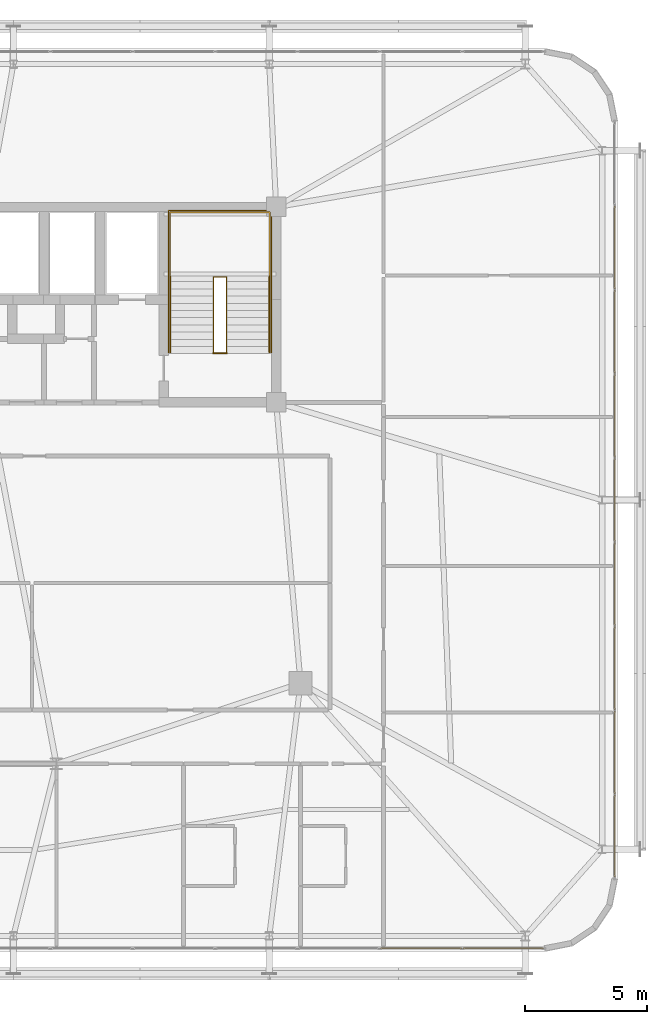
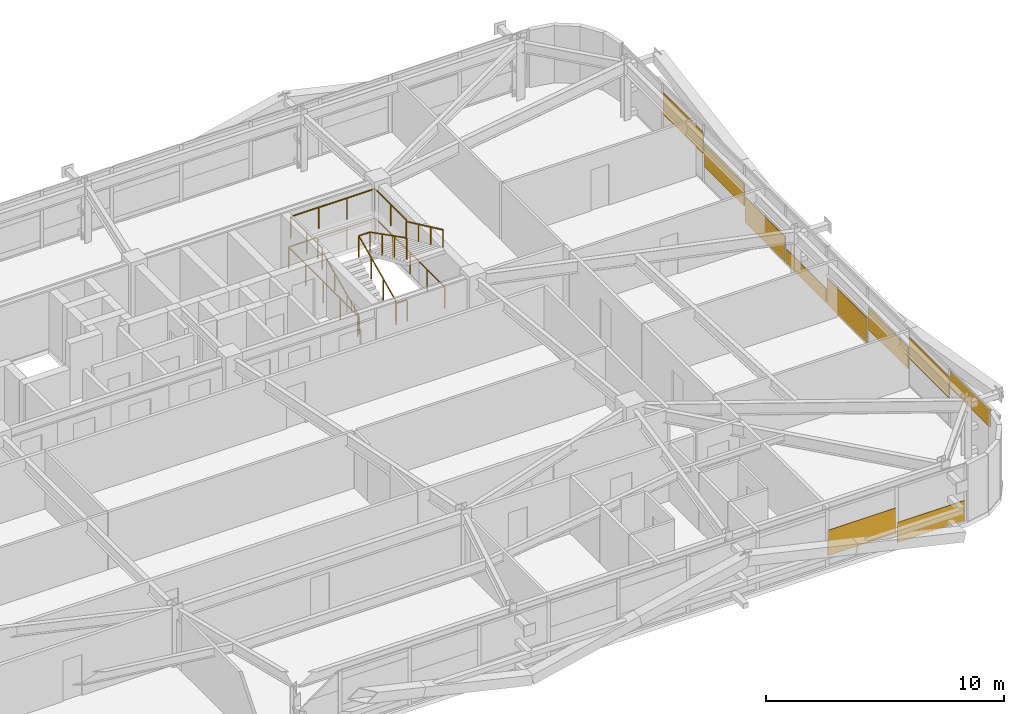
# One storey, part 58 of 59: 10 coverings, 6 railings.
"""IFC4 building model written with IfcOpenShell, lengths in metres."""

from ifc_helpers import new_model, si_unit, direction, frame, origin, origin_2d, place, context, subcontext, project, spatial, rectangle, extrude, source, transform, mapped, material, layer, layer_set, type_object, element, save


model = new_model("IFC4")

# Units and contexts
model_context = context("Model", 3, precision=1e-05, world=origin(), true_north=direction((0.0, 1.0)))
body_context = subcontext(model_context, "Body", "Model", "MODEL_VIEW")
ifc_project = project(units=[si_unit("LENGTHUNIT", "METRE"), si_unit("AREAUNIT", "SQUARE_METRE"), si_unit("VOLUMEUNIT", "CUBIC_METRE"), si_unit("PLANEANGLEUNIT", "RADIAN"), si_unit("MASSUNIT", "GRAM", prefix="KILO")], contexts=[model_context])

# Site, building, storey
site_placement = place(None, origin())
site = spatial("IfcSite", under=ifc_project, at=site_placement, CompositionType="ELEMENT")
building_placement = place(site_placement, origin())
building = spatial("IfcBuilding", under=site, at=building_placement, Name="Taldren Reach Tower", CompositionType="ELEMENT")
storey_placement = place(building_placement, frame((0.0, 0.0, 26.25)))
storey = spatial("IfcBuildingStorey", under=building, at=storey_placement, Name="L07", CompositionType="ELEMENT", Elevation=26.25)

# Railings
ifc_material_1 = material(Name="Steel Gr 350 (C350L0)", Category="steel")
ifc_layer_1 = layer(ifc_material_1, 0.050048828125)
ifc_layer_set_1 = layer_set([ifc_layer_1], Name="Steel Gr 350 (C350L0)")
railing_type_1 = type_object("IfcRailingType", Name="RL-STAIR-GR", PredefinedType="GUARDRAIL", material=ifc_layer_set_1)
railing_1_placement = place(storey_placement, frame((46.659912109375, 29.135009765625, 1.574951171875)))
element("IfcRailing", 1, at=railing_1_placement, inside=storey, type_object=railing_type_1, Name="Stair half-landing perimeter guard ST2-L07", PredefinedType="GUARDRAIL", context=body_context, shape_type="SweptSolid", body=[
    extrude(rectangle(XDim=0.047852, YDim=0.047852, at=origin_2d()), frame((0.0, 0.0, 1.09619140625), z_axis=(0.0, 1.0, 0.0), x_axis=(-1.0, 0.0, 0.0)), (0.0, 0.0, 1.0), 2.64501953125),
    extrude(rectangle(XDim=0.047852, YDim=0.047852, at=origin_2d()), frame((0.0, 2.64501953125, 1.09619140625), z_axis=(1.0, 0.0, 0.0), x_axis=(0.0, 1.0, 0.0)), (0.0, 0.0, 1.0), 4.080078125),
    extrude(rectangle(XDim=0.047852, YDim=0.047852, at=origin_2d()), frame((4.080078125, 2.64501953125, 1.09619140625), z_axis=(0.0, -1.0, 0.0), x_axis=(1.0, 0.0, 0.0)), (0.0, 0.0, 1.0), 2.64501953125),
    extrude(rectangle(XDim=0.041992, YDim=0.041992, at=origin_2d()), origin(), (0.0, 0.0, 1.0), 1.072021484375),
    extrude(rectangle(XDim=0.041992, YDim=0.041992, at=origin_2d()), frame((0.0, 1.322509765625, 0.0)), (0.0, 0.0, 1.0), 1.072021484375),
    extrude(rectangle(XDim=0.041992, YDim=0.041992, at=origin_2d()), frame((0.0, 2.64501953125, 0.0)), (0.0, 0.0, 1.0), 1.072021484375),
    extrude(rectangle(XDim=0.041992, YDim=0.041992, at=origin_2d()), frame((1.360107421875, 2.64501953125, 0.0)), (0.0, 0.0, 1.0), 1.072021484375),
    extrude(rectangle(XDim=0.041992, YDim=0.041992, at=origin_2d()), frame((2.719970703125, 2.64501953125, 0.0)), (0.0, 0.0, 1.0), 1.072021484375),
    extrude(rectangle(XDim=0.041992, YDim=0.041992, at=origin_2d()), frame((4.080078125, 2.64501953125, 0.0)), (0.0, 0.0, 1.0), 1.072021484375),
    extrude(rectangle(XDim=0.041992, YDim=0.041992, at=origin_2d()), frame((4.080078125, 1.322509765625, 0.0)), (0.0, 0.0, 1.0), 1.072021484375),
    extrude(rectangle(XDim=0.041992, YDim=0.041992, at=origin_2d()), frame((4.080078125, 0.0, 0.0)), (0.0, 0.0, 1.0), 1.072021484375),
])
railing_2_placement = place(storey_placement, frame((48.429931640625, 26.050048828125, 0.13134765625)))
element("IfcRailing", 2, at=railing_2_placement, inside=storey, type_object=railing_type_1, Name="Stairwell inner guard ST2-L07", PredefinedType="GUARDRAIL", context=body_context, shape_type="SweptSolid", body=[
    extrude(rectangle(XDim=0.047852, YDim=0.047852, at=origin_2d()), frame((0.0, 0.0, 1.09619140625), z_axis=(0.0, 0.905737652094, 0.423838773095), x_axis=(-1.0, 0.0, 0.0)), (0.0, 0.0, 1.0), 3.406005859375),
    extrude(rectangle(XDim=0.047852, YDim=0.047852, at=origin_2d()), frame((0.0, 3.0849609375, 2.53955078125), z_axis=(1.0, 0.0, 0.0), x_axis=(0.0, 1.0, 0.0)), (0.0, 0.0, 1.0), 0.5400390625),
    extrude(rectangle(XDim=0.047852, YDim=0.047852, at=origin_2d()), frame((0.5400390625, 3.0849609375, 2.53955078125), z_axis=(0.0, -0.890645957773, 0.45469745755), x_axis=(1.0, 0.0, 0.0)), (0.0, 0.0, 1.0), 3.463623046875),
    extrude(rectangle(XDim=0.041992, YDim=0.041992, at=origin_2d()), origin(), (0.0, 0.0, 1.0), 1.072021484375),
    extrude(rectangle(XDim=0.041992, YDim=0.041992, at=origin_2d()), frame((0.0, 1.0283203125, 0.481201171875)), (0.0, 0.0, 1.0), 1.072021484375),
    extrude(rectangle(XDim=0.041992, YDim=0.041992, at=origin_2d()), frame((0.0, 2.056640625, 0.96240234375)), (0.0, 0.0, 1.0), 1.072021484375),
    extrude(rectangle(XDim=0.041992, YDim=0.041992, at=origin_2d()), frame((0.0, 3.0849609375, 1.443603515625)), (0.0, 0.0, 1.0), 1.072021484375),
    extrude(rectangle(XDim=0.041992, YDim=0.041992, at=origin_2d()), frame((0.5400390625, 3.0849609375, 1.443603515625)), (0.0, 0.0, 1.0), 1.072021484375),
    extrude(rectangle(XDim=0.041992, YDim=0.041992, at=origin_2d()), frame((0.5400390625, 2.056640625, 1.968505859375)), (0.0, 0.0, 1.0), 1.072021484375),
    extrude(rectangle(XDim=0.041992, YDim=0.041992, at=origin_2d()), frame((0.5400390625, 1.0283203125, 2.49365234375)), (0.0, 0.0, 1.0), 1.072021484375),
    extrude(rectangle(XDim=0.041992, YDim=0.041992, at=origin_2d()), frame((0.5400390625, 0.0, 3.0185546875)), (0.0, 0.0, 1.0), 1.072021484375),
])
railing_3_placement = place(storey_placement, frame((48.429931640625, 26.010009765625, 0.0)))
element("IfcRailing", 3, at=railing_3_placement, inside=storey, type_object=railing_type_1, Name="Stairwell landing slot guard ST2-L07", PredefinedType="GUARDRAIL", context=body_context, shape_type="SweptSolid", body=[
    extrude(rectangle(XDim=0.047852, YDim=0.047852, at=origin_2d()), frame((0.0, 0.0, 1.09619140625), z_axis=(1.0, 0.0, 0.0), x_axis=(0.0, 1.0, 0.0)), (0.0, 0.0, 1.0), 0.5400390625),
    extrude(rectangle(XDim=0.041992, YDim=0.041992, at=origin_2d()), origin(), (0.0, 0.0, 1.0), 1.072021484375),
    extrude(rectangle(XDim=0.041992, YDim=0.041992, at=origin_2d()), frame((0.5400390625, 0.0, 0.0)), (0.0, 0.0, 1.0), 1.072021484375),
])
railing_4_placement = place(storey_placement, frame((46.590087890625, 26.050048828125, 0.0)))
element("IfcRailing", 4, at=railing_4_placement, inside=storey, type_object=railing_type_1, Name="Stairwell floor opening guard ST2-L07", PredefinedType="GUARDRAIL", context=body_context, shape_type="SweptSolid", body=[
    extrude(rectangle(XDim=0.047852, YDim=0.047852, at=origin_2d()), frame((0.0, 0.0, 1.09619140625), z_axis=(0.0, 1.0, 0.0), x_axis=(-1.0, 0.0, 0.0)), (0.0, 0.0, 1.0), 5.800048828125),
    extrude(rectangle(XDim=0.047852, YDim=0.047852, at=origin_2d()), frame((0.0, 5.800048828125, 1.09619140625), z_axis=(1.0, 0.0, 0.0), x_axis=(0.0, 1.0, 0.0)), (0.0, 0.0, 1.0), 4.219970703125),
    extrude(rectangle(XDim=0.047852, YDim=0.047852, at=origin_2d()), frame((4.219970703125, 5.800048828125, 1.09619140625), z_axis=(0.0, -1.0, 0.0), x_axis=(1.0, 0.0, 0.0)), (0.0, 0.0, 1.0), 5.800048828125),
    extrude(rectangle(XDim=0.041992, YDim=0.041992, at=origin_2d()), origin(), (0.0, 0.0, 1.0), 1.072021484375),
    extrude(rectangle(XDim=0.041992, YDim=0.041992, at=origin_2d()), frame((0.0, 1.449951171875, 0.0)), (0.0, 0.0, 1.0), 1.072021484375),
    extrude(rectangle(XDim=0.041992, YDim=0.041992, at=origin_2d()), frame((0.0, 2.89990234375, 0.0)), (0.0, 0.0, 1.0), 1.072021484375),
    extrude(rectangle(XDim=0.041992, YDim=0.041992, at=origin_2d()), frame((0.0, 4.35009765625, 0.0)), (0.0, 0.0, 1.0), 1.072021484375),
    extrude(rectangle(XDim=0.041992, YDim=0.041992, at=origin_2d()), frame((0.0, 5.800048828125, 0.0)), (0.0, 0.0, 1.0), 1.072021484375),
    extrude(rectangle(XDim=0.041992, YDim=0.041992, at=origin_2d()), frame((1.40673828125, 5.800048828125, 0.0)), (0.0, 0.0, 1.0), 1.072021484375),
    extrude(rectangle(XDim=0.041992, YDim=0.041992, at=origin_2d()), frame((2.813232421875, 5.800048828125, 0.0)), (0.0, 0.0, 1.0), 1.072021484375),
    extrude(rectangle(XDim=0.041992, YDim=0.041992, at=origin_2d()), frame((4.219970703125, 5.800048828125, 0.0)), (0.0, 0.0, 1.0), 1.072021484375),
    extrude(rectangle(XDim=0.041992, YDim=0.041992, at=origin_2d()), frame((4.219970703125, 4.35009765625, 0.0)), (0.0, 0.0, 1.0), 1.072021484375),
    extrude(rectangle(XDim=0.041992, YDim=0.041992, at=origin_2d()), frame((4.219970703125, 2.89990234375, 0.0)), (0.0, 0.0, 1.0), 1.072021484375),
    extrude(rectangle(XDim=0.041992, YDim=0.041992, at=origin_2d()), frame((4.219970703125, 1.449951171875, 0.0)), (0.0, 0.0, 1.0), 1.072021484375),
    extrude(rectangle(XDim=0.041992, YDim=0.041992, at=origin_2d()), frame((4.219970703125, 0.0, 0.0)), (0.0, 0.0, 1.0), 1.072021484375),
])
ifc_material_2 = material(Name="Stainless Steel Gr 316", Category="steel")
ifc_layer_2 = layer(ifc_material_2, 0.048095703125)
ifc_layer_set_2 = layer_set([ifc_layer_2], Name="Stainless Steel Gr 316")
railing_type_2 = type_object("IfcRailingType", Name="RL-STAIR-HR", PredefinedType="HANDRAIL", material=ifc_layer_set_2)
railing_5_placement = place(storey_placement, frame((46.669921875, 26.050048828125, 0.13134765625)))
element("IfcRailing", 5, at=railing_5_placement, inside=storey, type_object=railing_type_2, Name="Stair flight handrail ST2-L07-1", PredefinedType="HANDRAIL", context=body_context, shape_type="SweptSolid", body=[
    extrude(rectangle(XDim=0.047852, YDim=0.047852, at=origin_2d()), frame((0.0, 0.0, 0.89599609375), z_axis=(0.0, 0.905737652094, 0.423838773095), x_axis=(-1.0, 0.0, 0.0)), (0.0, 0.0, 1.0), 3.406005859375),
    extrude(rectangle(XDim=0.041992, YDim=0.041992, at=origin_2d()), origin(), (0.0, 0.0, 1.0), 0.871826171875),
    extrude(rectangle(XDim=0.041992, YDim=0.041992, at=origin_2d()), frame((0.0, 1.0283203125, 0.481201171875)), (0.0, 0.0, 1.0), 0.871826171875),
    extrude(rectangle(XDim=0.041992, YDim=0.041992, at=origin_2d()), frame((0.0, 2.056640625, 0.96240234375)), (0.0, 0.0, 1.0), 0.871826171875),
    extrude(rectangle(XDim=0.041992, YDim=0.041992, at=origin_2d()), frame((0.0, 3.0849609375, 1.443603515625)), (0.0, 0.0, 1.0), 0.871826171875),
])
railing_6_placement = place(storey_placement, frame((50.72998046875, 29.135009765625, 1.706298828125)))
element("IfcRailing", 6, at=railing_6_placement, inside=storey, type_object=railing_type_2, Name="Stair flight handrail ST2-L07-2", PredefinedType="HANDRAIL", context=body_context, shape_type="SweptSolid", body=[
    extrude(rectangle(XDim=0.047852, YDim=0.047852, at=origin_2d()), frame((0.0, 0.0, 0.89599609375), z_axis=(0.0, -0.905737652094, 0.423838773095), x_axis=(1.0, 0.0, 0.0)), (0.0, 0.0, 1.0), 3.406005859375),
    extrude(rectangle(XDim=0.041992, YDim=0.041992, at=origin_2d()), origin(), (0.0, 0.0, 1.0), 0.871826171875),
    extrude(rectangle(XDim=0.041992, YDim=0.041992, at=origin_2d()), frame((0.0, -1.0283203125, 0.481201171875)), (0.0, 0.0, 1.0), 0.871826171875),
    extrude(rectangle(XDim=0.041992, YDim=0.041992, at=origin_2d()), frame((0.0, -2.056640625, 0.96240234375)), (0.0, 0.0, 1.0), 0.871826171875),
    extrude(rectangle(XDim=0.041992, YDim=0.041992, at=origin_2d()), frame((0.0, -3.0849609375, 1.443603515625)), (0.0, 0.0, 1.0), 0.871826171875),
])

# Coverings
ifc_material_3 = material(Name="Pale Champagne Fluoropolymer Aluminium Spandrel Cladding", Category="aluminium")
ifc_layer_3 = layer(ifc_material_3, 0.0439453125)
ifc_layer_set_3 = layer_set([ifc_layer_3], Name="Pale Champagne Fluoropolymer Aluminium Spandrel Cladding")
covering_type = type_object("IfcCoveringType", Name="CV-CLAD-044", PredefinedType="CLADDING", material=ifc_layer_set_3)
shared_shape_1 = source(origin(), body_context, "Body", "SweptSolid", [
    extrude(rectangle(XDim=3.31005859375, YDim=0.0439453125, at=origin_2d()), origin(), (0.0, 0.0, 1.0), 1.301025390625),
])
covering_1_placement = place(storey_placement, frame((56.9375, 1.639892578125, 0.5576171875), z_axis=(0.0, 0.0, 1.0), x_axis=(1.0, 0.0, 0.0)))
element("IfcCovering", 7, at=covering_1_placement, inside=storey, type_object=covering_type, Name="Diagrid closure cladding strip CW-2 panel 15.1 1", PredefinedType="CLADDING", context=body_context, shape_type="MappedRepresentation", body=[
    mapped(shared_shape_1, transform((0.0, 0.0, 0.0), scale=1.0)),
])
shared_shape_2 = source(origin(), body_context, "Body", "SweptSolid", [
    extrude(rectangle(XDim=3.277587890625, YDim=0.0439453125, at=origin_2d()), origin(), (0.0, 0.0, 1.0), 1.021240234375),
])
covering_2_placement = place(storey_placement, frame((60.296142578125, 1.639892578125, 0.05517578125), z_axis=(0.0, 0.0, 1.0), x_axis=(1.0, 0.0, 0.0)))
element("IfcCovering", 8, at=covering_2_placement, inside=storey, type_object=covering_type, Name="Diagrid closure cladding strip CW-2 panel 16.1 1", PredefinedType="CLADDING", context=body_context, shape_type="MappedRepresentation", body=[
    mapped(shared_shape_2, transform((0.0, 0.0, 0.0), scale=1.0)),
])
shared_shape_3 = source(origin(), body_context, "Body", "SweptSolid", [
    extrude(rectangle(XDim=3.346923828125, YDim=0.0439453125, at=origin_2d()), origin(), (0.0, 0.0, 1.0), 0.864501953125),
])
covering_3_placement = place(storey_placement, frame((64.860107421875, 6.238525390625, 2.01025390625), z_axis=(0.0, 0.0, 1.0), x_axis=(0.0, 1.0, 0.0)))
element("IfcCovering", 9, at=covering_3_placement, inside=storey, type_object=covering_type, Name="Diagrid closure cladding strip CW-2 panel 1.1 1", PredefinedType="CLADDING", context=body_context, shape_type="MappedRepresentation", body=[
    mapped(shared_shape_3, transform((0.0, 0.0, 0.0), scale=1.0)),
])
shared_shape_4 = source(origin(), body_context, "Body", "SweptSolid", [
    extrude(rectangle(XDim=3.37939453125, YDim=0.0439453125, at=origin_2d()), origin(), (0.0, 0.0, 1.0), 1.1015625),
])
for number, where, z_axis, x_axis, name in (
    (10, (64.860107421875, 9.666748046875, 1.425048828125), (0.0, 0.0, 1.0), (0.0, 1.0, 0.0), "Diagrid closure cladding strip CW-2 panel 2.1 1"),
    (11, (64.860107421875, 13.111083984375, 0.83984375), (0.0, 0.0, 1.0), (0.0, 1.0, 0.0), "Diagrid closure cladding strip CW-2 panel 3.1 1"),
    (12, (64.860107421875, 26.888916015625, 0.83984375), (0.0, 0.0, 1.0), (0.0, 1.0, 0.0), "Diagrid closure cladding strip CW-2 panel 7.1 1"),
    (13, (64.860107421875, 30.333251953125, 1.425048828125), (0.0, 0.0, 1.0), (0.0, 1.0, 0.0), "Diagrid closure cladding strip CW-2 panel 8.1 1"),
):
    element("IfcCovering", number, at=place(storey_placement, frame(where, z_axis=z_axis, x_axis=x_axis)), inside=storey, type_object=covering_type, Name=name, PredefinedType="CLADDING", context=body_context, shape_type="MappedRepresentation", body=[
        mapped(shared_shape_4, transform((0.0, 0.0, 0.0), scale=1.0)),
    ])
shared_shape_5 = source(origin(), body_context, "Body", "SweptSolid", [
    extrude(rectangle(XDim=3.37939453125, YDim=0.0439453125, at=origin_2d()), origin(), (0.0, 0.0, 1.0), 1.301025390625),
])
for number, where, z_axis, x_axis, name in (
    (14, (64.860107421875, 16.5556640625, 0.05517578125), (0.0, 0.0, 1.0), (0.0, 1.0, 0.0), "Diagrid closure cladding strip CW-2 panel 4.1 1"),
    (15, (64.860107421875, 23.4443359375, 0.05517578125), (0.0, 0.0, 1.0), (0.0, 1.0, 0.0), "Diagrid closure cladding strip CW-2 panel 6.1 1"),
):
    element("IfcCovering", number, at=place(storey_placement, frame(where, z_axis=z_axis, x_axis=x_axis)), inside=storey, type_object=covering_type, Name=name, PredefinedType="CLADDING", context=body_context, shape_type="MappedRepresentation", body=[
        mapped(shared_shape_5, transform((0.0, 0.0, 0.0), scale=1.0)),
    ])
shared_shape_6 = source(origin(), body_context, "Body", "SweptSolid", [
    extrude(rectangle(XDim=3.37939453125, YDim=0.0439453125, at=origin_2d()), origin(), (0.0, 0.0, 1.0), 0.7158203125),
])
covering_4_placement = place(storey_placement, frame((64.860107421875, 20.0, 0.054931640625), z_axis=(0.0, 0.0, 1.0), x_axis=(0.0, 1.0, 0.0)))
element("IfcCovering", 16, at=covering_4_placement, inside=storey, type_object=covering_type, Name="Diagrid closure cladding strip CW-2 panel 5.1 1", PredefinedType="CLADDING", context=body_context, shape_type="MappedRepresentation", body=[
    mapped(shared_shape_6, transform((0.0, 0.0, 0.0), scale=1.0)),
])

save(model, "model.ifc")
